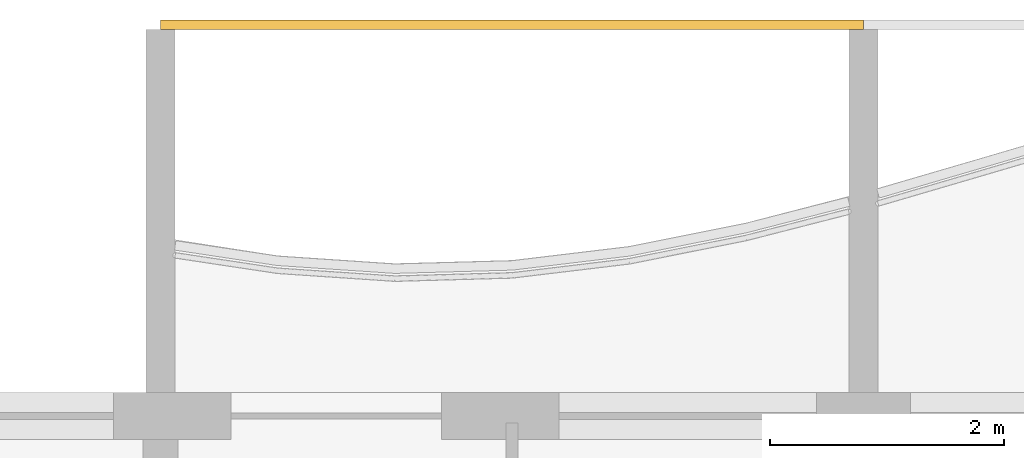
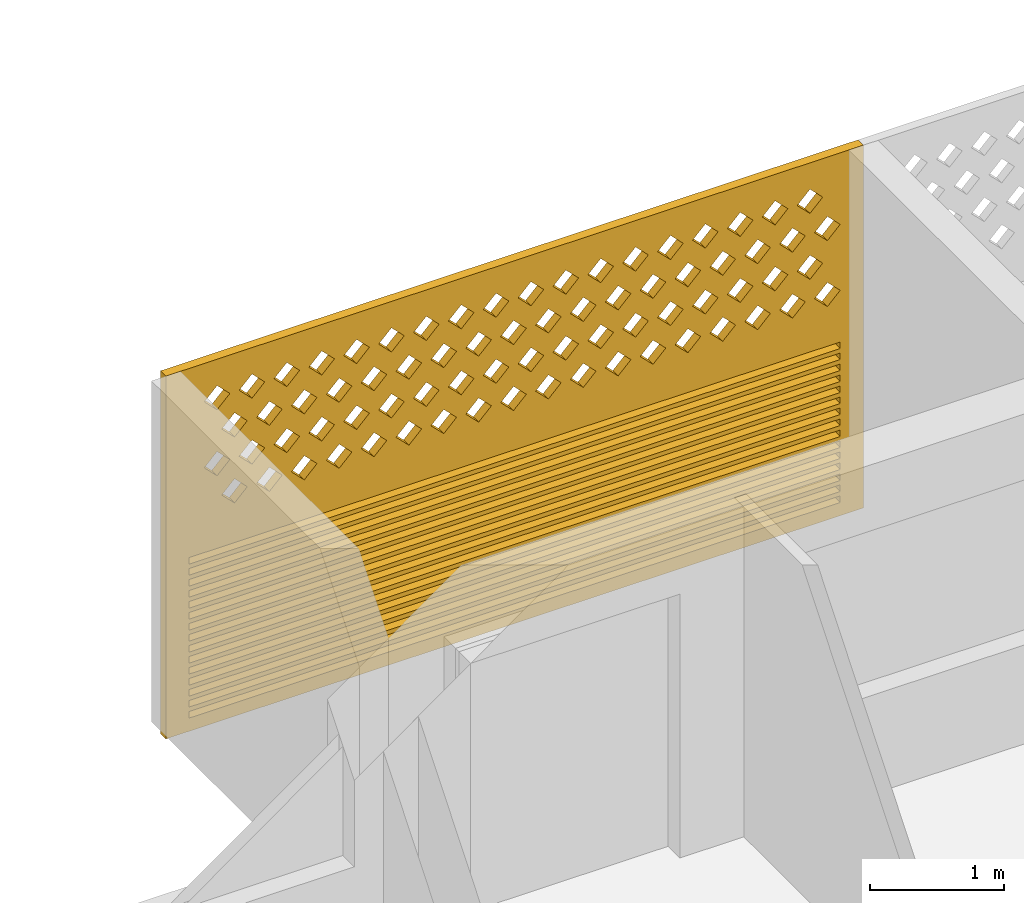
# One storey, part 30 of 32: 1 covering.
"""IFC4 building model written with IfcOpenShell, lengths in metres."""

from ifc_helpers import new_model, si_unit, direction, frame, origin, place, context, subcontext, project, spatial, polyline, outline, extrude, source, transform, mapped, material, material_profile, profile_set, type_object, element, save


model = new_model("IFC4")

# Units and contexts
model_context = context("Model", 3, precision=1e-05, world=origin(), true_north=direction((0.0, 1.0)))
body_context = subcontext(model_context, "Body", "Model", "MODEL_VIEW")
ifc_project = project(units=[si_unit("LENGTHUNIT", "METRE"), si_unit("AREAUNIT", "SQUARE_METRE"), si_unit("VOLUMEUNIT", "CUBIC_METRE"), si_unit("PLANEANGLEUNIT", "RADIAN"), si_unit("MASSUNIT", "GRAM", prefix="KILO")], contexts=[model_context])

# Site, building, storey
site_placement = place(None, origin())
site = spatial("IfcSite", under=ifc_project, at=site_placement, CompositionType="ELEMENT")
building_placement = place(site_placement, origin())
building = spatial("IfcBuilding", under=site, at=building_placement, Name="Poui Terraces", CompositionType="ELEMENT")
storey_placement = place(building_placement, frame((0.0, 0.0, 155.39990234375)))
storey = spatial("IfcBuildingStorey", under=building, at=storey_placement, Name="L43", CompositionType="ELEMENT", Elevation=155.39990234375)

# Covering
ifc_material = material(Name="Terracotta screen", Category="masonry")
ifc_material_profile = material_profile(ifc_material, outline(polyline([(-3.0, -1.64990234375), (3.0, -1.64990234375), (3.0, 1.64990234375), (-3.0, 1.64990234375), (-3.0, -1.64990234375)]), holes=[polyline([(-2.800048828125, 0.39990234375), (-2.68994140625, 0.2900390625), (-2.580078125, 0.39990234375), (-2.68994140625, 0.510009765625), (-2.800048828125, 0.39990234375)]), polyline([(-2.5, 0.39990234375), (-2.389892578125, 0.2900390625), (-2.280029296875, 0.39990234375), (-2.389892578125, 0.510009765625), (-2.5, 0.39990234375)]), polyline([(-2.199951171875, 0.39990234375), (-2.090087890625, 0.2900390625), (-1.97998046875, 0.39990234375), (-2.090087890625, 0.510009765625), (-2.199951171875, 0.39990234375)]), polyline([(-1.89990234375, 0.39990234375), (-1.7900390625, 0.2900390625), (-1.679931640625, 0.39990234375), (-1.7900390625, 0.510009765625), (-1.89990234375, 0.39990234375)]), polyline([(-1.60009765625, 0.39990234375), (-1.489990234375, 0.2900390625), (-1.3798828125, 0.39990234375), (-1.489990234375, 0.510009765625), (-1.60009765625, 0.39990234375)]), polyline([(-1.300048828125, 0.39990234375), (-1.18994140625, 0.2900390625), (-1.080078125, 0.39990234375), (-1.18994140625, 0.510009765625), (-1.300048828125, 0.39990234375)]), polyline([(-1.0, 0.39990234375), (-0.889892578125, 0.2900390625), (-0.780029296875, 0.39990234375), (-0.889892578125, 0.510009765625), (-1.0, 0.39990234375)]), polyline([(-0.699951171875, 0.39990234375), (-0.590087890625, 0.2900390625), (-0.47998046875, 0.39990234375), (-0.590087890625, 0.510009765625), (-0.699951171875, 0.39990234375)]), polyline([(-0.39990234375, 0.39990234375), (-0.2900390625, 0.2900390625), (-0.179931640625, 0.39990234375), (-0.2900390625, 0.510009765625), (-0.39990234375, 0.39990234375)]), polyline([(-0.10009765625, 0.39990234375), (0.010009765625, 0.2900390625), (0.1201171875, 0.39990234375), (0.010009765625, 0.510009765625), (-0.10009765625, 0.39990234375)]), polyline([(0.199951171875, 0.39990234375), (0.31005859375, 0.2900390625), (0.419921875, 0.39990234375), (0.31005859375, 0.510009765625), (0.199951171875, 0.39990234375)]), polyline([(0.5, 0.39990234375), (0.610107421875, 0.2900390625), (0.719970703125, 0.39990234375), (0.610107421875, 0.510009765625), (0.5, 0.39990234375)]), polyline([(0.800048828125, 0.39990234375), (0.909912109375, 0.2900390625), (1.02001953125, 0.39990234375), (0.909912109375, 0.510009765625), (0.800048828125, 0.39990234375)]), polyline([(1.10009765625, 0.39990234375), (1.2099609375, 0.2900390625), (1.320068359375, 0.39990234375), (1.2099609375, 0.510009765625), (1.10009765625, 0.39990234375)]), polyline([(1.39990234375, 0.39990234375), (1.510009765625, 0.2900390625), (1.6201171875, 0.39990234375), (1.510009765625, 0.510009765625), (1.39990234375, 0.39990234375)]), polyline([(1.699951171875, 0.39990234375), (1.81005859375, 0.2900390625), (1.919921875, 0.39990234375), (1.81005859375, 0.510009765625), (1.699951171875, 0.39990234375)]), polyline([(2.0, 0.39990234375), (2.110107421875, 0.2900390625), (2.219970703125, 0.39990234375), (2.110107421875, 0.510009765625), (2.0, 0.39990234375)]), polyline([(2.300048828125, 0.39990234375), (2.409912109375, 0.2900390625), (2.52001953125, 0.39990234375), (2.409912109375, 0.510009765625), (2.300048828125, 0.39990234375)]), polyline([(-2.64990234375, 0.699951171875), (-2.5400390625, 0.590087890625), (-2.429931640625, 0.699951171875), (-2.5400390625, 0.81005859375), (-2.64990234375, 0.699951171875)]), polyline([(-2.35009765625, 0.699951171875), (-2.239990234375, 0.590087890625), (-2.1298828125, 0.699951171875), (-2.239990234375, 0.81005859375), (-2.35009765625, 0.699951171875)]), polyline([(-2.050048828125, 0.699951171875), (-1.93994140625, 0.590087890625), (-1.830078125, 0.699951171875), (-1.93994140625, 0.81005859375), (-2.050048828125, 0.699951171875)]), polyline([(-1.75, 0.699951171875), (-1.639892578125, 0.590087890625), (-1.530029296875, 0.699951171875), (-1.639892578125, 0.81005859375), (-1.75, 0.699951171875)]), polyline([(-1.449951171875, 0.699951171875), (-1.340087890625, 0.590087890625), (-1.22998046875, 0.699951171875), (-1.340087890625, 0.81005859375), (-1.449951171875, 0.699951171875)]), polyline([(-1.14990234375, 0.699951171875), (-1.0400390625, 0.590087890625), (-0.929931640625, 0.699951171875), (-1.0400390625, 0.81005859375), (-1.14990234375, 0.699951171875)]), polyline([(-0.85009765625, 0.699951171875), (-0.739990234375, 0.590087890625), (-0.6298828125, 0.699951171875), (-0.739990234375, 0.81005859375), (-0.85009765625, 0.699951171875)]), polyline([(-0.550048828125, 0.699951171875), (-0.43994140625, 0.590087890625), (-0.330078125, 0.699951171875), (-0.43994140625, 0.81005859375), (-0.550048828125, 0.699951171875)]), polyline([(-0.25, 0.699951171875), (-0.139892578125, 0.590087890625), (-0.030029296875, 0.699951171875), (-0.139892578125, 0.81005859375), (-0.25, 0.699951171875)]), polyline([(0.050048828125, 0.699951171875), (0.159912109375, 0.590087890625), (0.27001953125, 0.699951171875), (0.159912109375, 0.81005859375), (0.050048828125, 0.699951171875)]), polyline([(0.35009765625, 0.699951171875), (0.4599609375, 0.590087890625), (0.570068359375, 0.699951171875), (0.4599609375, 0.81005859375), (0.35009765625, 0.699951171875)]), polyline([(0.64990234375, 0.699951171875), (0.760009765625, 0.590087890625), (0.8701171875, 0.699951171875), (0.760009765625, 0.81005859375), (0.64990234375, 0.699951171875)]), polyline([(0.949951171875, 0.699951171875), (1.06005859375, 0.590087890625), (1.169921875, 0.699951171875), (1.06005859375, 0.81005859375), (0.949951171875, 0.699951171875)]), polyline([(1.25, 0.699951171875), (1.360107421875, 0.590087890625), (1.469970703125, 0.699951171875), (1.360107421875, 0.81005859375), (1.25, 0.699951171875)]), polyline([(1.550048828125, 0.699951171875), (1.659912109375, 0.590087890625), (1.77001953125, 0.699951171875), (1.659912109375, 0.81005859375), (1.550048828125, 0.699951171875)]), polyline([(1.85009765625, 0.699951171875), (1.9599609375, 0.590087890625), (2.070068359375, 0.699951171875), (1.9599609375, 0.81005859375), (1.85009765625, 0.699951171875)]), polyline([(2.14990234375, 0.699951171875), (2.260009765625, 0.590087890625), (2.3701171875, 0.699951171875), (2.260009765625, 0.81005859375), (2.14990234375, 0.699951171875)]), polyline([(2.449951171875, 0.699951171875), (2.56005859375, 0.590087890625), (2.669921875, 0.699951171875), (2.56005859375, 0.81005859375), (2.449951171875, 0.699951171875)]), polyline([(-2.800048828125, 1.0), (-2.68994140625, 0.889892578125), (-2.580078125, 1.0), (-2.68994140625, 1.110107421875), (-2.800048828125, 1.0)]), polyline([(-2.5, 1.0), (-2.389892578125, 0.889892578125), (-2.280029296875, 1.0), (-2.389892578125, 1.110107421875), (-2.5, 1.0)]), polyline([(-2.199951171875, 1.0), (-2.090087890625, 0.889892578125), (-1.97998046875, 1.0), (-2.090087890625, 1.110107421875), (-2.199951171875, 1.0)]), polyline([(-1.89990234375, 1.0), (-1.7900390625, 0.889892578125), (-1.679931640625, 1.0), (-1.7900390625, 1.110107421875), (-1.89990234375, 1.0)]), polyline([(-1.60009765625, 1.0), (-1.489990234375, 0.889892578125), (-1.3798828125, 1.0), (-1.489990234375, 1.110107421875), (-1.60009765625, 1.0)]), polyline([(-1.300048828125, 1.0), (-1.18994140625, 0.889892578125), (-1.080078125, 1.0), (-1.18994140625, 1.110107421875), (-1.300048828125, 1.0)]), polyline([(-1.0, 1.0), (-0.889892578125, 0.889892578125), (-0.780029296875, 1.0), (-0.889892578125, 1.110107421875), (-1.0, 1.0)]), polyline([(-0.699951171875, 1.0), (-0.590087890625, 0.889892578125), (-0.47998046875, 1.0), (-0.590087890625, 1.110107421875), (-0.699951171875, 1.0)]), polyline([(-0.39990234375, 1.0), (-0.2900390625, 0.889892578125), (-0.179931640625, 1.0), (-0.2900390625, 1.110107421875), (-0.39990234375, 1.0)]), polyline([(-0.10009765625, 1.0), (0.010009765625, 0.889892578125), (0.1201171875, 1.0), (0.010009765625, 1.110107421875), (-0.10009765625, 1.0)]), polyline([(0.199951171875, 1.0), (0.31005859375, 0.889892578125), (0.419921875, 1.0), (0.31005859375, 1.110107421875), (0.199951171875, 1.0)]), polyline([(0.5, 1.0), (0.610107421875, 0.889892578125), (0.719970703125, 1.0), (0.610107421875, 1.110107421875), (0.5, 1.0)]), polyline([(0.800048828125, 1.0), (0.909912109375, 0.889892578125), (1.02001953125, 1.0), (0.909912109375, 1.110107421875), (0.800048828125, 1.0)]), polyline([(1.10009765625, 1.0), (1.2099609375, 0.889892578125), (1.320068359375, 1.0), (1.2099609375, 1.110107421875), (1.10009765625, 1.0)]), polyline([(1.39990234375, 1.0), (1.510009765625, 0.889892578125), (1.6201171875, 1.0), (1.510009765625, 1.110107421875), (1.39990234375, 1.0)]), polyline([(1.699951171875, 1.0), (1.81005859375, 0.889892578125), (1.919921875, 1.0), (1.81005859375, 1.110107421875), (1.699951171875, 1.0)]), polyline([(2.0, 1.0), (2.110107421875, 0.889892578125), (2.219970703125, 1.0), (2.110107421875, 1.110107421875), (2.0, 1.0)]), polyline([(2.300048828125, 1.0), (2.409912109375, 0.889892578125), (2.52001953125, 1.0), (2.409912109375, 1.110107421875), (2.300048828125, 1.0)]), polyline([(-2.64990234375, 1.300048828125), (-2.5400390625, 1.18994140625), (-2.429931640625, 1.300048828125), (-2.5400390625, 1.409912109375), (-2.64990234375, 1.300048828125)]), polyline([(-2.35009765625, 1.300048828125), (-2.239990234375, 1.18994140625), (-2.1298828125, 1.300048828125), (-2.239990234375, 1.409912109375), (-2.35009765625, 1.300048828125)]), polyline([(-2.050048828125, 1.300048828125), (-1.93994140625, 1.18994140625), (-1.830078125, 1.300048828125), (-1.93994140625, 1.409912109375), (-2.050048828125, 1.300048828125)]), polyline([(-1.75, 1.300048828125), (-1.639892578125, 1.18994140625), (-1.530029296875, 1.300048828125), (-1.639892578125, 1.409912109375), (-1.75, 1.300048828125)]), polyline([(-1.449951171875, 1.300048828125), (-1.340087890625, 1.18994140625), (-1.22998046875, 1.300048828125), (-1.340087890625, 1.409912109375), (-1.449951171875, 1.300048828125)]), polyline([(-1.14990234375, 1.300048828125), (-1.0400390625, 1.18994140625), (-0.929931640625, 1.300048828125), (-1.0400390625, 1.409912109375), (-1.14990234375, 1.300048828125)]), polyline([(-0.85009765625, 1.300048828125), (-0.739990234375, 1.18994140625), (-0.6298828125, 1.300048828125), (-0.739990234375, 1.409912109375), (-0.85009765625, 1.300048828125)]), polyline([(-0.550048828125, 1.300048828125), (-0.43994140625, 1.18994140625), (-0.330078125, 1.300048828125), (-0.43994140625, 1.409912109375), (-0.550048828125, 1.300048828125)]), polyline([(-0.25, 1.300048828125), (-0.139892578125, 1.18994140625), (-0.030029296875, 1.300048828125), (-0.139892578125, 1.409912109375), (-0.25, 1.300048828125)]), polyline([(0.050048828125, 1.300048828125), (0.159912109375, 1.18994140625), (0.27001953125, 1.300048828125), (0.159912109375, 1.409912109375), (0.050048828125, 1.300048828125)]), polyline([(0.35009765625, 1.300048828125), (0.4599609375, 1.18994140625), (0.570068359375, 1.300048828125), (0.4599609375, 1.409912109375), (0.35009765625, 1.300048828125)]), polyline([(0.64990234375, 1.300048828125), (0.760009765625, 1.18994140625), (0.8701171875, 1.300048828125), (0.760009765625, 1.409912109375), (0.64990234375, 1.300048828125)]), polyline([(0.949951171875, 1.300048828125), (1.06005859375, 1.18994140625), (1.169921875, 1.300048828125), (1.06005859375, 1.409912109375), (0.949951171875, 1.300048828125)]), polyline([(1.25, 1.300048828125), (1.360107421875, 1.18994140625), (1.469970703125, 1.300048828125), (1.360107421875, 1.409912109375), (1.25, 1.300048828125)]), polyline([(1.550048828125, 1.300048828125), (1.659912109375, 1.18994140625), (1.77001953125, 1.300048828125), (1.659912109375, 1.409912109375), (1.550048828125, 1.300048828125)]), polyline([(1.85009765625, 1.300048828125), (1.9599609375, 1.18994140625), (2.070068359375, 1.300048828125), (1.9599609375, 1.409912109375), (1.85009765625, 1.300048828125)]), polyline([(2.14990234375, 1.300048828125), (2.260009765625, 1.18994140625), (2.3701171875, 1.300048828125), (2.260009765625, 1.409912109375), (2.14990234375, 1.300048828125)]), polyline([(2.449951171875, 1.300048828125), (2.56005859375, 1.18994140625), (2.669921875, 1.300048828125), (2.56005859375, 1.409912109375), (2.449951171875, 1.300048828125)]), polyline([(-2.800048828125, -1.530029296875), (2.800048828125, -1.530029296875), (2.800048828125, -1.469970703125), (-2.800048828125, -1.469970703125), (-2.800048828125, -1.530029296875)]), polyline([(-2.800048828125, -1.429931640625), (2.800048828125, -1.429931640625), (2.800048828125, -1.3701171875), (-2.800048828125, -1.3701171875), (-2.800048828125, -1.429931640625)]), polyline([(-2.800048828125, -1.330078125), (2.800048828125, -1.330078125), (2.800048828125, -1.27001953125), (-2.800048828125, -1.27001953125), (-2.800048828125, -1.330078125)]), polyline([(-2.800048828125, -1.22998046875), (2.800048828125, -1.22998046875), (2.800048828125, -1.169921875), (-2.800048828125, -1.169921875), (-2.800048828125, -1.22998046875)]), polyline([(-2.800048828125, -1.1298828125), (2.800048828125, -1.1298828125), (2.800048828125, -1.070068359375), (-2.800048828125, -1.070068359375), (-2.800048828125, -1.1298828125)]), polyline([(-2.800048828125, -1.030029296875), (2.800048828125, -1.030029296875), (2.800048828125, -0.969970703125), (-2.800048828125, -0.969970703125), (-2.800048828125, -1.030029296875)]), polyline([(-2.800048828125, -0.929931640625), (2.800048828125, -0.929931640625), (2.800048828125, -0.8701171875), (-2.800048828125, -0.8701171875), (-2.800048828125, -0.929931640625)]), polyline([(-2.800048828125, -0.830078125), (2.800048828125, -0.830078125), (2.800048828125, -0.77001953125), (-2.800048828125, -0.77001953125), (-2.800048828125, -0.830078125)]), polyline([(-2.800048828125, -0.72998046875), (2.800048828125, -0.72998046875), (2.800048828125, -0.669921875), (-2.800048828125, -0.669921875), (-2.800048828125, -0.72998046875)]), polyline([(-2.800048828125, -0.6298828125), (2.800048828125, -0.6298828125), (2.800048828125, -0.570068359375), (-2.800048828125, -0.570068359375), (-2.800048828125, -0.6298828125)]), polyline([(-2.800048828125, -0.530029296875), (2.800048828125, -0.530029296875), (2.800048828125, -0.469970703125), (-2.800048828125, -0.469970703125), (-2.800048828125, -0.530029296875)]), polyline([(-2.800048828125, -0.429931640625), (2.800048828125, -0.429931640625), (2.800048828125, -0.3701171875), (-2.800048828125, -0.3701171875), (-2.800048828125, -0.429931640625)]), polyline([(-2.800048828125, -0.330078125), (2.800048828125, -0.330078125), (2.800048828125, -0.27001953125), (-2.800048828125, -0.27001953125), (-2.800048828125, -0.330078125)]), polyline([(-2.800048828125, -0.22998046875), (2.800048828125, -0.22998046875), (2.800048828125, -0.169921875), (-2.800048828125, -0.169921875), (-2.800048828125, -0.22998046875)]), polyline([(-2.800048828125, -0.1298828125), (2.800048828125, -0.1298828125), (2.800048828125, -0.070068359375), (-2.800048828125, -0.070068359375), (-2.800048828125, -0.1298828125)])]), Name="TERRACOTTA SCREEN AND JALOUSIE LOUVRE 6000X3300")
ifc_profile_set = profile_set([ifc_material_profile], Name="Terracotta screen")
covering_type = type_object("IfcCoveringType", Name="TERRACOTTA SCREEN AND JALOUSIE LOUVRE 6000X3300", PredefinedType="CLADDING", material=ifc_profile_set)
shared_shape = source(origin(), body_context, "Body", "SweptSolid", [
    extrude(outline(polyline([(-3.0, -1.64990234375), (3.0, -1.64990234375), (3.0, 1.64990234375), (-3.0, 1.64990234375), (-3.0, -1.64990234375)]), holes=[polyline([(-2.800048828125, 0.39990234375), (-2.68994140625, 0.2900390625), (-2.580078125, 0.39990234375), (-2.68994140625, 0.510009765625), (-2.800048828125, 0.39990234375)]), polyline([(-2.5, 0.39990234375), (-2.389892578125, 0.2900390625), (-2.280029296875, 0.39990234375), (-2.389892578125, 0.510009765625), (-2.5, 0.39990234375)]), polyline([(-2.199951171875, 0.39990234375), (-2.090087890625, 0.2900390625), (-1.97998046875, 0.39990234375), (-2.090087890625, 0.510009765625), (-2.199951171875, 0.39990234375)]), polyline([(-1.89990234375, 0.39990234375), (-1.7900390625, 0.2900390625), (-1.679931640625, 0.39990234375), (-1.7900390625, 0.510009765625), (-1.89990234375, 0.39990234375)]), polyline([(-1.60009765625, 0.39990234375), (-1.489990234375, 0.2900390625), (-1.3798828125, 0.39990234375), (-1.489990234375, 0.510009765625), (-1.60009765625, 0.39990234375)]), polyline([(-1.300048828125, 0.39990234375), (-1.18994140625, 0.2900390625), (-1.080078125, 0.39990234375), (-1.18994140625, 0.510009765625), (-1.300048828125, 0.39990234375)]), polyline([(-1.0, 0.39990234375), (-0.889892578125, 0.2900390625), (-0.780029296875, 0.39990234375), (-0.889892578125, 0.510009765625), (-1.0, 0.39990234375)]), polyline([(-0.699951171875, 0.39990234375), (-0.590087890625, 0.2900390625), (-0.47998046875, 0.39990234375), (-0.590087890625, 0.510009765625), (-0.699951171875, 0.39990234375)]), polyline([(-0.39990234375, 0.39990234375), (-0.2900390625, 0.2900390625), (-0.179931640625, 0.39990234375), (-0.2900390625, 0.510009765625), (-0.39990234375, 0.39990234375)]), polyline([(-0.10009765625, 0.39990234375), (0.010009765625, 0.2900390625), (0.1201171875, 0.39990234375), (0.010009765625, 0.510009765625), (-0.10009765625, 0.39990234375)]), polyline([(0.199951171875, 0.39990234375), (0.31005859375, 0.2900390625), (0.419921875, 0.39990234375), (0.31005859375, 0.510009765625), (0.199951171875, 0.39990234375)]), polyline([(0.5, 0.39990234375), (0.610107421875, 0.2900390625), (0.719970703125, 0.39990234375), (0.610107421875, 0.510009765625), (0.5, 0.39990234375)]), polyline([(0.800048828125, 0.39990234375), (0.909912109375, 0.2900390625), (1.02001953125, 0.39990234375), (0.909912109375, 0.510009765625), (0.800048828125, 0.39990234375)]), polyline([(1.10009765625, 0.39990234375), (1.2099609375, 0.2900390625), (1.320068359375, 0.39990234375), (1.2099609375, 0.510009765625), (1.10009765625, 0.39990234375)]), polyline([(1.39990234375, 0.39990234375), (1.510009765625, 0.2900390625), (1.6201171875, 0.39990234375), (1.510009765625, 0.510009765625), (1.39990234375, 0.39990234375)]), polyline([(1.699951171875, 0.39990234375), (1.81005859375, 0.2900390625), (1.919921875, 0.39990234375), (1.81005859375, 0.510009765625), (1.699951171875, 0.39990234375)]), polyline([(2.0, 0.39990234375), (2.110107421875, 0.2900390625), (2.219970703125, 0.39990234375), (2.110107421875, 0.510009765625), (2.0, 0.39990234375)]), polyline([(2.300048828125, 0.39990234375), (2.409912109375, 0.2900390625), (2.52001953125, 0.39990234375), (2.409912109375, 0.510009765625), (2.300048828125, 0.39990234375)]), polyline([(-2.64990234375, 0.699951171875), (-2.5400390625, 0.590087890625), (-2.429931640625, 0.699951171875), (-2.5400390625, 0.81005859375), (-2.64990234375, 0.699951171875)]), polyline([(-2.35009765625, 0.699951171875), (-2.239990234375, 0.590087890625), (-2.1298828125, 0.699951171875), (-2.239990234375, 0.81005859375), (-2.35009765625, 0.699951171875)]), polyline([(-2.050048828125, 0.699951171875), (-1.93994140625, 0.590087890625), (-1.830078125, 0.699951171875), (-1.93994140625, 0.81005859375), (-2.050048828125, 0.699951171875)]), polyline([(-1.75, 0.699951171875), (-1.639892578125, 0.590087890625), (-1.530029296875, 0.699951171875), (-1.639892578125, 0.81005859375), (-1.75, 0.699951171875)]), polyline([(-1.449951171875, 0.699951171875), (-1.340087890625, 0.590087890625), (-1.22998046875, 0.699951171875), (-1.340087890625, 0.81005859375), (-1.449951171875, 0.699951171875)]), polyline([(-1.14990234375, 0.699951171875), (-1.0400390625, 0.590087890625), (-0.929931640625, 0.699951171875), (-1.0400390625, 0.81005859375), (-1.14990234375, 0.699951171875)]), polyline([(-0.85009765625, 0.699951171875), (-0.739990234375, 0.590087890625), (-0.6298828125, 0.699951171875), (-0.739990234375, 0.81005859375), (-0.85009765625, 0.699951171875)]), polyline([(-0.550048828125, 0.699951171875), (-0.43994140625, 0.590087890625), (-0.330078125, 0.699951171875), (-0.43994140625, 0.81005859375), (-0.550048828125, 0.699951171875)]), polyline([(-0.25, 0.699951171875), (-0.139892578125, 0.590087890625), (-0.030029296875, 0.699951171875), (-0.139892578125, 0.81005859375), (-0.25, 0.699951171875)]), polyline([(0.050048828125, 0.699951171875), (0.159912109375, 0.590087890625), (0.27001953125, 0.699951171875), (0.159912109375, 0.81005859375), (0.050048828125, 0.699951171875)]), polyline([(0.35009765625, 0.699951171875), (0.4599609375, 0.590087890625), (0.570068359375, 0.699951171875), (0.4599609375, 0.81005859375), (0.35009765625, 0.699951171875)]), polyline([(0.64990234375, 0.699951171875), (0.760009765625, 0.590087890625), (0.8701171875, 0.699951171875), (0.760009765625, 0.81005859375), (0.64990234375, 0.699951171875)]), polyline([(0.949951171875, 0.699951171875), (1.06005859375, 0.590087890625), (1.169921875, 0.699951171875), (1.06005859375, 0.81005859375), (0.949951171875, 0.699951171875)]), polyline([(1.25, 0.699951171875), (1.360107421875, 0.590087890625), (1.469970703125, 0.699951171875), (1.360107421875, 0.81005859375), (1.25, 0.699951171875)]), polyline([(1.550048828125, 0.699951171875), (1.659912109375, 0.590087890625), (1.77001953125, 0.699951171875), (1.659912109375, 0.81005859375), (1.550048828125, 0.699951171875)]), polyline([(1.85009765625, 0.699951171875), (1.9599609375, 0.590087890625), (2.070068359375, 0.699951171875), (1.9599609375, 0.81005859375), (1.85009765625, 0.699951171875)]), polyline([(2.14990234375, 0.699951171875), (2.260009765625, 0.590087890625), (2.3701171875, 0.699951171875), (2.260009765625, 0.81005859375), (2.14990234375, 0.699951171875)]), polyline([(2.449951171875, 0.699951171875), (2.56005859375, 0.590087890625), (2.669921875, 0.699951171875), (2.56005859375, 0.81005859375), (2.449951171875, 0.699951171875)]), polyline([(-2.800048828125, 1.0), (-2.68994140625, 0.889892578125), (-2.580078125, 1.0), (-2.68994140625, 1.110107421875), (-2.800048828125, 1.0)]), polyline([(-2.5, 1.0), (-2.389892578125, 0.889892578125), (-2.280029296875, 1.0), (-2.389892578125, 1.110107421875), (-2.5, 1.0)]), polyline([(-2.199951171875, 1.0), (-2.090087890625, 0.889892578125), (-1.97998046875, 1.0), (-2.090087890625, 1.110107421875), (-2.199951171875, 1.0)]), polyline([(-1.89990234375, 1.0), (-1.7900390625, 0.889892578125), (-1.679931640625, 1.0), (-1.7900390625, 1.110107421875), (-1.89990234375, 1.0)]), polyline([(-1.60009765625, 1.0), (-1.489990234375, 0.889892578125), (-1.3798828125, 1.0), (-1.489990234375, 1.110107421875), (-1.60009765625, 1.0)]), polyline([(-1.300048828125, 1.0), (-1.18994140625, 0.889892578125), (-1.080078125, 1.0), (-1.18994140625, 1.110107421875), (-1.300048828125, 1.0)]), polyline([(-1.0, 1.0), (-0.889892578125, 0.889892578125), (-0.780029296875, 1.0), (-0.889892578125, 1.110107421875), (-1.0, 1.0)]), polyline([(-0.699951171875, 1.0), (-0.590087890625, 0.889892578125), (-0.47998046875, 1.0), (-0.590087890625, 1.110107421875), (-0.699951171875, 1.0)]), polyline([(-0.39990234375, 1.0), (-0.2900390625, 0.889892578125), (-0.179931640625, 1.0), (-0.2900390625, 1.110107421875), (-0.39990234375, 1.0)]), polyline([(-0.10009765625, 1.0), (0.010009765625, 0.889892578125), (0.1201171875, 1.0), (0.010009765625, 1.110107421875), (-0.10009765625, 1.0)]), polyline([(0.199951171875, 1.0), (0.31005859375, 0.889892578125), (0.419921875, 1.0), (0.31005859375, 1.110107421875), (0.199951171875, 1.0)]), polyline([(0.5, 1.0), (0.610107421875, 0.889892578125), (0.719970703125, 1.0), (0.610107421875, 1.110107421875), (0.5, 1.0)]), polyline([(0.800048828125, 1.0), (0.909912109375, 0.889892578125), (1.02001953125, 1.0), (0.909912109375, 1.110107421875), (0.800048828125, 1.0)]), polyline([(1.10009765625, 1.0), (1.2099609375, 0.889892578125), (1.320068359375, 1.0), (1.2099609375, 1.110107421875), (1.10009765625, 1.0)]), polyline([(1.39990234375, 1.0), (1.510009765625, 0.889892578125), (1.6201171875, 1.0), (1.510009765625, 1.110107421875), (1.39990234375, 1.0)]), polyline([(1.699951171875, 1.0), (1.81005859375, 0.889892578125), (1.919921875, 1.0), (1.81005859375, 1.110107421875), (1.699951171875, 1.0)]), polyline([(2.0, 1.0), (2.110107421875, 0.889892578125), (2.219970703125, 1.0), (2.110107421875, 1.110107421875), (2.0, 1.0)]), polyline([(2.300048828125, 1.0), (2.409912109375, 0.889892578125), (2.52001953125, 1.0), (2.409912109375, 1.110107421875), (2.300048828125, 1.0)]), polyline([(-2.64990234375, 1.300048828125), (-2.5400390625, 1.18994140625), (-2.429931640625, 1.300048828125), (-2.5400390625, 1.409912109375), (-2.64990234375, 1.300048828125)]), polyline([(-2.35009765625, 1.300048828125), (-2.239990234375, 1.18994140625), (-2.1298828125, 1.300048828125), (-2.239990234375, 1.409912109375), (-2.35009765625, 1.300048828125)]), polyline([(-2.050048828125, 1.300048828125), (-1.93994140625, 1.18994140625), (-1.830078125, 1.300048828125), (-1.93994140625, 1.409912109375), (-2.050048828125, 1.300048828125)]), polyline([(-1.75, 1.300048828125), (-1.639892578125, 1.18994140625), (-1.530029296875, 1.300048828125), (-1.639892578125, 1.409912109375), (-1.75, 1.300048828125)]), polyline([(-1.449951171875, 1.300048828125), (-1.340087890625, 1.18994140625), (-1.22998046875, 1.300048828125), (-1.340087890625, 1.409912109375), (-1.449951171875, 1.300048828125)]), polyline([(-1.14990234375, 1.300048828125), (-1.0400390625, 1.18994140625), (-0.929931640625, 1.300048828125), (-1.0400390625, 1.409912109375), (-1.14990234375, 1.300048828125)]), polyline([(-0.85009765625, 1.300048828125), (-0.739990234375, 1.18994140625), (-0.6298828125, 1.300048828125), (-0.739990234375, 1.409912109375), (-0.85009765625, 1.300048828125)]), polyline([(-0.550048828125, 1.300048828125), (-0.43994140625, 1.18994140625), (-0.330078125, 1.300048828125), (-0.43994140625, 1.409912109375), (-0.550048828125, 1.300048828125)]), polyline([(-0.25, 1.300048828125), (-0.139892578125, 1.18994140625), (-0.030029296875, 1.300048828125), (-0.139892578125, 1.409912109375), (-0.25, 1.300048828125)]), polyline([(0.050048828125, 1.300048828125), (0.159912109375, 1.18994140625), (0.27001953125, 1.300048828125), (0.159912109375, 1.409912109375), (0.050048828125, 1.300048828125)]), polyline([(0.35009765625, 1.300048828125), (0.4599609375, 1.18994140625), (0.570068359375, 1.300048828125), (0.4599609375, 1.409912109375), (0.35009765625, 1.300048828125)]), polyline([(0.64990234375, 1.300048828125), (0.760009765625, 1.18994140625), (0.8701171875, 1.300048828125), (0.760009765625, 1.409912109375), (0.64990234375, 1.300048828125)]), polyline([(0.949951171875, 1.300048828125), (1.06005859375, 1.18994140625), (1.169921875, 1.300048828125), (1.06005859375, 1.409912109375), (0.949951171875, 1.300048828125)]), polyline([(1.25, 1.300048828125), (1.360107421875, 1.18994140625), (1.469970703125, 1.300048828125), (1.360107421875, 1.409912109375), (1.25, 1.300048828125)]), polyline([(1.550048828125, 1.300048828125), (1.659912109375, 1.18994140625), (1.77001953125, 1.300048828125), (1.659912109375, 1.409912109375), (1.550048828125, 1.300048828125)]), polyline([(1.85009765625, 1.300048828125), (1.9599609375, 1.18994140625), (2.070068359375, 1.300048828125), (1.9599609375, 1.409912109375), (1.85009765625, 1.300048828125)]), polyline([(2.14990234375, 1.300048828125), (2.260009765625, 1.18994140625), (2.3701171875, 1.300048828125), (2.260009765625, 1.409912109375), (2.14990234375, 1.300048828125)]), polyline([(2.449951171875, 1.300048828125), (2.56005859375, 1.18994140625), (2.669921875, 1.300048828125), (2.56005859375, 1.409912109375), (2.449951171875, 1.300048828125)]), polyline([(-2.800048828125, -1.530029296875), (2.800048828125, -1.530029296875), (2.800048828125, -1.469970703125), (-2.800048828125, -1.469970703125), (-2.800048828125, -1.530029296875)]), polyline([(-2.800048828125, -1.429931640625), (2.800048828125, -1.429931640625), (2.800048828125, -1.3701171875), (-2.800048828125, -1.3701171875), (-2.800048828125, -1.429931640625)]), polyline([(-2.800048828125, -1.330078125), (2.800048828125, -1.330078125), (2.800048828125, -1.27001953125), (-2.800048828125, -1.27001953125), (-2.800048828125, -1.330078125)]), polyline([(-2.800048828125, -1.22998046875), (2.800048828125, -1.22998046875), (2.800048828125, -1.169921875), (-2.800048828125, -1.169921875), (-2.800048828125, -1.22998046875)]), polyline([(-2.800048828125, -1.1298828125), (2.800048828125, -1.1298828125), (2.800048828125, -1.070068359375), (-2.800048828125, -1.070068359375), (-2.800048828125, -1.1298828125)]), polyline([(-2.800048828125, -1.030029296875), (2.800048828125, -1.030029296875), (2.800048828125, -0.969970703125), (-2.800048828125, -0.969970703125), (-2.800048828125, -1.030029296875)]), polyline([(-2.800048828125, -0.929931640625), (2.800048828125, -0.929931640625), (2.800048828125, -0.8701171875), (-2.800048828125, -0.8701171875), (-2.800048828125, -0.929931640625)]), polyline([(-2.800048828125, -0.830078125), (2.800048828125, -0.830078125), (2.800048828125, -0.77001953125), (-2.800048828125, -0.77001953125), (-2.800048828125, -0.830078125)]), polyline([(-2.800048828125, -0.72998046875), (2.800048828125, -0.72998046875), (2.800048828125, -0.669921875), (-2.800048828125, -0.669921875), (-2.800048828125, -0.72998046875)]), polyline([(-2.800048828125, -0.6298828125), (2.800048828125, -0.6298828125), (2.800048828125, -0.570068359375), (-2.800048828125, -0.570068359375), (-2.800048828125, -0.6298828125)]), polyline([(-2.800048828125, -0.530029296875), (2.800048828125, -0.530029296875), (2.800048828125, -0.469970703125), (-2.800048828125, -0.469970703125), (-2.800048828125, -0.530029296875)]), polyline([(-2.800048828125, -0.429931640625), (2.800048828125, -0.429931640625), (2.800048828125, -0.3701171875), (-2.800048828125, -0.3701171875), (-2.800048828125, -0.429931640625)]), polyline([(-2.800048828125, -0.330078125), (2.800048828125, -0.330078125), (2.800048828125, -0.27001953125), (-2.800048828125, -0.27001953125), (-2.800048828125, -0.330078125)]), polyline([(-2.800048828125, -0.22998046875), (2.800048828125, -0.22998046875), (2.800048828125, -0.169921875), (-2.800048828125, -0.169921875), (-2.800048828125, -0.22998046875)]), polyline([(-2.800048828125, -0.1298828125), (2.800048828125, -0.1298828125), (2.800048828125, -0.070068359375), (-2.800048828125, -0.070068359375), (-2.800048828125, -0.1298828125)])]), origin(), (0.0, 0.0, 1.0), 0.080078125),
])
covering_placement = place(storey_placement, frame((75.0, 45.699951171875, 1.4501953125), z_axis=(0.0, 1.0, 0.0), x_axis=(-1.0, 0.0, 0.0)))
element("IfcCovering", 1, at=covering_placement, inside=storey, type_object=covering_type, Name="SOLAR SCREEN AND JALOUSIE LOUVRE", PredefinedType="CLADDING", context=body_context, shape_type="MappedRepresentation", body=[
    mapped(shared_shape, transform((0.0, 0.0, 0.0))),
])

save(model, "model.ifc")
